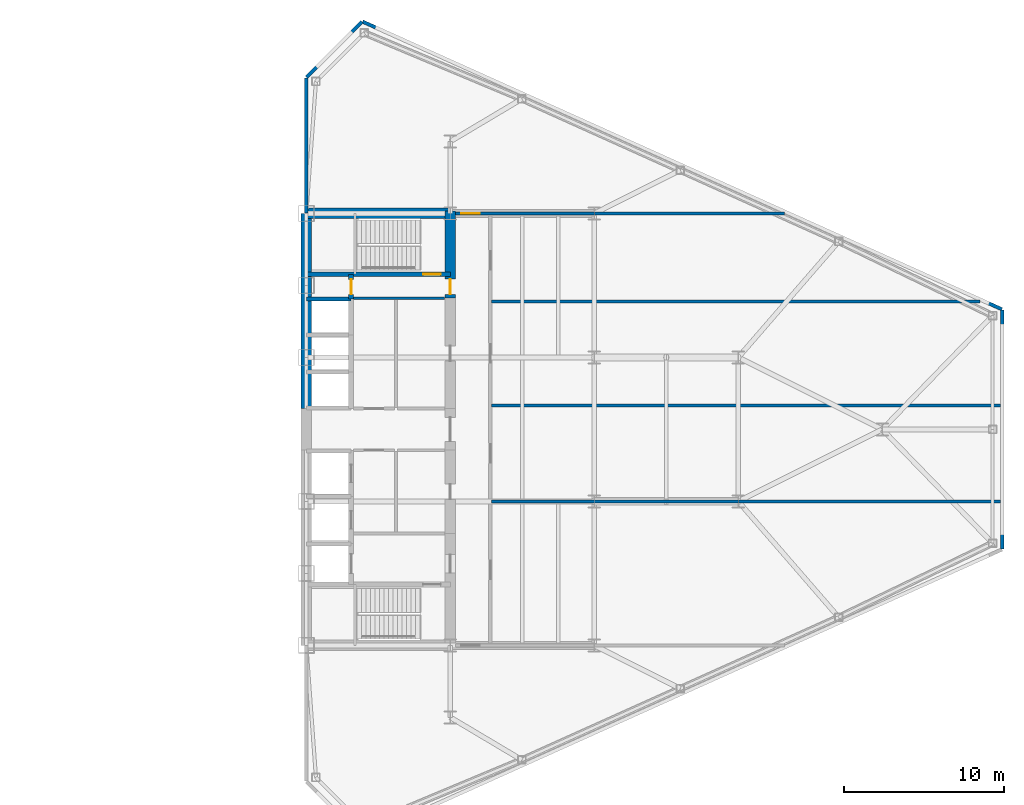
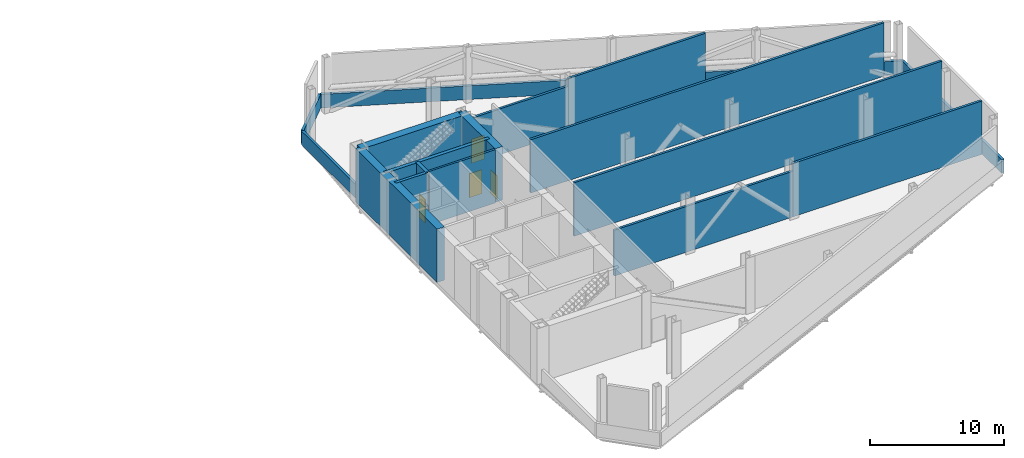
# One storey, part 9 of 11: 17 walls, 4 doors, 4 openings.
"""IFC4 building model written with IfcOpenShell, lengths in metres."""

from ifc_helpers import new_model, si_unit, direction, frame, frame_2d, origin, place, context, subcontext, project, spatial, rectangle, extrude, source, transform, mapped, material, layer, layer_set, type_object, type_shapes, element, fill, save


model = new_model("IFC4")

# Units and contexts
model_context = context("Model", 3, precision=1e-05, world=origin(), true_north=direction((0.0, 1.0)))
body_context = subcontext(model_context, "Body", "Model", "MODEL_VIEW")
ifc_project = project(units=[si_unit("LENGTHUNIT", "METRE"), si_unit("AREAUNIT", "SQUARE_METRE"), si_unit("VOLUMEUNIT", "CUBIC_METRE"), si_unit("PLANEANGLEUNIT", "RADIAN"), si_unit("MASSUNIT", "GRAM", prefix="KILO")], contexts=[model_context])

# Site, building, storey
site_placement = place(None, origin())
site = spatial("IfcSite", under=ifc_project, at=site_placement, CompositionType="ELEMENT")
building_placement = place(site_placement, origin())
building = spatial("IfcBuilding", under=site, at=building_placement, Name="Seokmaru Belvedere", CompositionType="ELEMENT")
storey_placement = place(building_placement, frame((0.0, 0.0, 87.300048828125)))
storey = spatial("IfcBuildingStorey", under=building, at=storey_placement, Name="L23", CompositionType="ELEMENT", Elevation=87.300048828125)

# Walls
ifc_material_1 = material(Name="Fire-Rated Gypsum Shaftwall")
ifc_layer_1 = layer(ifc_material_1, 0.179931640625)
ifc_layer_set_1 = layer_set([ifc_layer_1], Name="Fire-Rated Gypsum Shaftwall")
wall_type_1 = type_object("IfcWallType", Name="Core Service Fire Partition 180", PredefinedType="PARTITIONING", material=ifc_layer_set_1)
wall_1_placement = place(storey_placement, frame((30.449951171875, 8.199951171875, 0.0), z_axis=(0.0, 0.0, 1.0), x_axis=(1.0, 0.0, 0.0)))
element("IfcWall", 1, at=wall_1_placement, inside=storey, type_object=wall_type_1, Name="L23 East Smokeproof Vestibule Partition", PredefinedType="PARTITIONING", context=body_context, shape_type="SweptSolid", body=[
    extrude(rectangle(XDim=5.699951171875, YDim=0.179931640625, at=frame_2d((2.85009765625, 0.0))), origin(), (0.0, 0.0, 1.0), 4.8798828125),
])
ifc_material_2 = material(Name="Concrete C50 (50 MPa)", Category="concrete")
ifc_layer_2 = layer(ifc_material_2, 0.25)
ifc_layer_set_2 = layer_set([ifc_layer_2], Name="Concrete C50 (50 MPa)")
wall_type_2 = type_object("IfcWallType", Name="Hoistway Transverse Concrete Divider Wall 250", PredefinedType="SHEAR", material=ifc_layer_set_2)
wall_2_placement = place(storey_placement, frame((27.5, 8.14990234375, 0.0), z_axis=(0.0, 0.0, 1.0), x_axis=(1.0, 0.0, 0.0)))
element("IfcWall", 2, at=wall_2_placement, inside=storey, type_object=wall_type_2, Name="L23 East Hoistway Divider Core Wall 7", PredefinedType="SHEAR", context=body_context, shape_type="SweptSolid", body=[
    extrude(rectangle(XDim=2.800048828125, YDim=0.25, at=frame_2d((1.39990234375, 0.0))), origin(), (0.0, 0.0, 1.0), 4.8798828125),
])
ifc_layer_3 = layer(ifc_material_1, 0.199951171875)
ifc_layer_set_3 = layer_set([ifc_layer_3], Name="Fire-Rated Gypsum Shaftwall")
wall_type_3 = type_object("IfcWallType", Name="Inter-Tenancy Fire Compartment Partition 200", PredefinedType="PARTITIONING", material=ifc_layer_set_3)
wall_3_placement = place(storey_placement, frame((39.0849609375, -4.5, 0.0), z_axis=(0.0, 0.0, 1.0), x_axis=(1.0, 0.0, 0.0)))
element("IfcWall", 3, at=wall_3_placement, inside=storey, type_object=wall_type_3, Name="L23 Interior Partition 004", PredefinedType="PARTITIONING", context=body_context, shape_type="SweptSolid", body=[
    extrude(rectangle(XDim=15.43505859375, YDim=0.199951171875, at=frame_2d((7.717529296875, 0.0))), origin(), (0.0, 0.0, 1.0), 4.179931640625),
])
wall_4_placement = place(storey_placement, frame((54.52001953125, -4.5, 0.0), z_axis=(0.0, 0.0, 1.0), x_axis=(1.0, 0.0, 0.0)))
element("IfcWall", 4, at=wall_4_placement, inside=storey, type_object=wall_type_3, Name="L23 Interior Partition 004 Part 2", PredefinedType="PARTITIONING", context=body_context, shape_type="SweptSolid", body=[
    extrude(rectangle(XDim=16.364990234375, YDim=0.199951171875, at=frame_2d((8.1826171875, 0.0))), origin(), (0.0, 0.0, 1.0), 4.8798828125),
])
wall_5_placement = place(storey_placement, frame((39.0849609375, 1.5, 0.0), z_axis=(0.0, 0.0, 1.0), x_axis=(1.0, 0.0, 0.0)))
element("IfcWall", 5, at=wall_5_placement, inside=storey, type_object=wall_type_3, Name="L23 Interior Partition 006", PredefinedType="PARTITIONING", context=body_context, shape_type="SweptSolid", body=[
    extrude(rectangle(XDim=31.800048828125, YDim=0.199951171875, at=frame_2d((15.89990234375, 0.0))), origin(), (0.0, 0.0, 1.0), 4.8798828125),
])
wall_6_placement = place(storey_placement, frame((39.0849609375, 8.0, 0.0), z_axis=(0.0, 0.0, 1.0), x_axis=(1.0, 0.0, 0.0)))
element("IfcWall", 6, at=wall_6_placement, inside=storey, type_object=wall_type_3, Name="L23 Interior Partition 008", PredefinedType="PARTITIONING", context=body_context, shape_type="SweptSolid", body=[
    extrude(rectangle(XDim=30.523681640625, YDim=0.199951171875, at=frame_2d((15.26171875, 0.0))), origin(), (0.0, 0.0, 1.0), 4.8798828125),
])

# Wall, opening, door
wall_7_placement = place(storey_placement, frame((36.830078125, 13.5, 0.0), z_axis=(0.0, 0.0, 1.0), x_axis=(1.0, 0.0, 0.0)))
wall_7 = element("IfcWall", 7, at=wall_7_placement, inside=storey, type_object=wall_type_3, Name="L23 Interior Partition 010", PredefinedType="PARTITIONING", context=body_context, shape_type="SweptSolid", body=[
    extrude(rectangle(XDim=8.68994140625, YDim=0.199951171875, at=frame_2d((4.344970703125, 0.0))), origin(), (0.0, 0.0, 1.0), 4.179931640625),
])
opening_1_placement = place(wall_7_placement, frame((0.344970703125, 0.0, 0.0)))
opening_1 = element("IfcOpeningElement", 8, at=opening_1_placement, cuts=wall_7, Name="Opening D02", PredefinedType="OPENING", context=body_context, shape_type="SweptSolid", body=[
    extrude(rectangle(XDim=1.14990234375, YDim=2.199951171875, at=frame_2d((0.574951171875, 1.10009765625))), frame((0.0, 0.10986328125, 0.0), z_axis=(0.0, -1.0, 0.0), x_axis=(1.0, 0.0, 0.0)), (0.0, 0.0, 1.0), 0.219970703125),
])
ifc_material_3 = material(Name="Fire-Rated Steel Leaf", Category="steel")
door_type_1 = type_object("IfcDoorType", Name="Lobby and Vestibule Fire Door 1150x2200", OperationType="NOTDEFINED", PredefinedType="DOOR", material=ifc_material_3)
shared_shape_1 = source(origin(), body_context, "Body", "SweptSolid", [
    extrude(rectangle(XDim=1.14990234375, YDim=2.199951171875, at=frame_2d((0.574951171875, 1.10009765625))), frame((0.0, 0.02490234375, 0.0), z_axis=(0.0, -1.0, 0.0), x_axis=(1.0, 0.0, 0.0)), (0.0, 0.0, 1.0), 0.050048828125),
])
type_shapes(door_type_1, [shared_shape_1])
door_1_placement = place(opening_1_placement, origin())
door_1 = element("IfcDoor", 9, at=door_1_placement, inside=storey, type_object=door_type_1, Name="L23 Interior Door 008", OperationType="SINGLE_SWING_LEFT", OverallHeight=2.199951171875, OverallWidth=1.14990234375, PredefinedType="DOOR", context=body_context, shape_type="MappedRepresentation", body=[
    mapped(shared_shape_1, transform((0.0, 0.0, 0.0), scale=1.0)),
])
fill(opening_1, door_1)

# Wall
wall_8_placement = place(storey_placement, frame((45.52001953125, 13.5, 0.0), z_axis=(0.0, 0.0, 1.0), x_axis=(1.0, 0.0, 0.0)))
element("IfcWall", 10, at=wall_8_placement, inside=storey, type_object=wall_type_3, Name="L23 Interior Partition 010 Part 2", PredefinedType="PARTITIONING", context=body_context, shape_type="SweptSolid", body=[
    extrude(rectangle(XDim=11.866455078125, YDim=0.199951171875, at=frame_2d((5.93310546875, 0.0))), origin(), (0.0, 0.0, 1.0), 4.8798828125),
])

# Wall, opening, door
ifc_layer_4 = layer(ifc_material_2, 0.300048828125)
ifc_layer_set_4 = layer_set([ifc_layer_4], Name="Concrete C50 (50 MPa)")
wall_type_4 = type_object("IfcWallType", Name="Internal Core Stair and Hoistway Wall 300", PredefinedType="SHEAR", material=ifc_layer_set_4)
wall_9_placement = place(storey_placement, frame((27.5, 9.699951171875, 0.0), z_axis=(0.0, 0.0, 1.0), x_axis=(1.0, 0.0, 0.0)))
wall_9 = element("IfcWall", 11, at=wall_9_placement, inside=storey, type_object=wall_type_4, Name="L23 East Stair ST-2 Enclosure Wall", PredefinedType="SHEAR", context=body_context, shape_type="SweptSolid", body=[
    extrude(rectangle(XDim=9.0, YDim=0.300048828125, at=frame_2d((4.5, 0.0))), origin(), (0.0, 0.0, 1.0), 4.8798828125),
])
opening_2_placement = place(wall_9_placement, frame((7.300048828125, 0.0, 0.0)))
opening_2 = element("IfcOpeningElement", 12, at=opening_2_placement, cuts=wall_9, Name="Opening D01", PredefinedType="OPENING", context=body_context, shape_type="SweptSolid", body=[
    extrude(rectangle(XDim=1.10009765625, YDim=2.199951171875, at=frame_2d((0.550048828125, 1.10009765625))), frame((0.0, 0.16015625, 0.0), z_axis=(0.0, -1.0, 0.0), x_axis=(1.0, 0.0, 0.0)), (0.0, 0.0, 1.0), 0.320068359375),
])
door_type_2 = type_object("IfcDoorType", Name="Special Escape Stair Smokeproof Fire Door 1100x2200", OperationType="NOTDEFINED", PredefinedType="DOOR", material=ifc_material_3)
shared_shape_2 = source(origin(), body_context, "Body", "SweptSolid", [
    extrude(rectangle(XDim=1.10009765625, YDim=2.199951171875, at=frame_2d((0.550048828125, 1.10009765625))), frame((0.0, 0.02490234375, 0.0), z_axis=(0.0, -1.0, 0.0), x_axis=(1.0, 0.0, 0.0)), (0.0, 0.0, 1.0), 0.050048828125),
])
type_shapes(door_type_2, [shared_shape_2])
door_2_placement = place(opening_2_placement, origin())
door_2 = element("IfcDoor", 13, at=door_2_placement, inside=storey, type_object=door_type_2, Name="L23 East Special Escape Stair ST-2 Door", OperationType="SINGLE_SWING_LEFT", OverallHeight=2.199951171875, OverallWidth=1.10009765625, PredefinedType="DOOR", context=body_context, shape_type="MappedRepresentation", body=[
    mapped(shared_shape_2, transform((0.0, 0.0, 0.0), scale=1.0)),
])
fill(opening_2, door_2)

wall_10_placement = place(storey_placement, frame((30.300048828125, 8.14990234375, 0.0), z_axis=(0.0, 0.0, 1.0), x_axis=(0.0, 1.0, 0.0)))
wall_10 = element("IfcWall", 14, at=wall_10_placement, inside=storey, type_object=wall_type_4, Name="L23 East Electrical Riser Front Wall", PredefinedType="SHEAR", context=body_context, shape_type="SweptSolid", body=[
    extrude(rectangle(XDim=1.530029296875, YDim=0.300048828125, at=frame_2d((0.76513671875, 0.0))), origin(), (0.0, 0.0, 1.0), 4.8798828125),
])
opening_3_placement = place(wall_10_placement, frame((0.284912109375, 0.0, 0.0)))
opening_3 = element("IfcOpeningElement", 15, at=opening_3_placement, cuts=wall_10, Name="Opening D04", PredefinedType="OPENING", context=body_context, shape_type="SweptSolid", body=[
    extrude(rectangle(XDim=0.949951171875, YDim=2.14990234375, at=frame_2d((0.47509765625, 1.074951171875))), frame((0.0, 0.16015625, 0.0), z_axis=(0.0, -1.0, 0.0), x_axis=(1.0, 0.0, 0.0)), (0.0, 0.0, 1.0), 0.320068359375),
])
door_type_3 = type_object("IfcDoorType", Name="Core Service Room Fire Door 950x2150", OperationType="NOTDEFINED", PredefinedType="DOOR", material=ifc_material_3)
shared_shape_3 = source(origin(), body_context, "Body", "SweptSolid", [
    extrude(rectangle(XDim=0.949951171875, YDim=2.14990234375, at=frame_2d((0.47509765625, 1.074951171875))), frame((0.0, 0.02490234375, 0.0), z_axis=(0.0, -1.0, 0.0), x_axis=(1.0, 0.0, 0.0)), (0.0, 0.0, 1.0), 0.050048828125),
])
type_shapes(door_type_3, [shared_shape_3])
door_3_placement = place(opening_3_placement, origin())
door_3 = element("IfcDoor", 16, at=door_3_placement, inside=storey, type_object=door_type_3, Name="L23 East Electrical Riser Access Door", OperationType="SINGLE_SWING_RIGHT", OverallHeight=2.14990234375, OverallWidth=0.949951171875, PredefinedType="DOOR", context=body_context, shape_type="MappedRepresentation", body=[
    mapped(shared_shape_3, transform((0.0, 0.0, 0.0), scale=1.0)),
])
fill(opening_3, door_3)

# Walls
ifc_material_4 = material(Name="Concrete C60 (60 MPa)", Category="concrete")
ifc_layer_5 = layer(ifc_material_4, 0.64990234375)
ifc_layer_set_5 = layer_set([ifc_layer_5], Name="Concrete C60 (60 MPa)")
wall_type_5 = type_object("IfcWallType", Name="Mid-Low Reinforced Concrete Core Wall 650", PredefinedType="SHEAR", material=ifc_layer_set_5)
wall_11_placement = place(storey_placement, frame((27.5, 1.300048828125, 0.0), z_axis=(0.0, 0.0, 1.0), x_axis=(0.0, 1.0, 0.0)))
element("IfcWall", 17, at=wall_11_placement, inside=storey, type_object=wall_type_5, Name="L23 East Portal Spine Core Wall North", PredefinedType="SHEAR", context=body_context, shape_type="SweptSolid", body=[
    extrude(rectangle(XDim=12.199951171875, YDim=0.64990234375, at=frame_2d((6.10009765625, 0.0))), origin(), (0.0, 0.0, 1.0), 4.8798828125),
])
wall_12_placement = place(storey_placement, frame((27.5, 13.5, 0.0), z_axis=(0.0, 0.0, 1.0), x_axis=(1.0, 0.0, 0.0)))
element("IfcWall", 18, at=wall_12_placement, inside=storey, type_object=wall_type_5, Name="L23 East North Core Wall", PredefinedType="SHEAR", context=body_context, shape_type="SweptSolid", body=[
    extrude(rectangle(XDim=9.0, YDim=0.64990234375, at=frame_2d((4.5, 0.0))), origin(), (0.0, 0.0, 1.0), 4.8798828125),
])

# Wall, opening, door
wall_13_placement = place(storey_placement, frame((36.5, 8.199951171875, 0.0), z_axis=(0.0, 0.0, 1.0), x_axis=(0.0, 1.0, 0.0)))
wall_13 = element("IfcWall", 19, at=wall_13_placement, inside=storey, type_object=wall_type_5, Name="L23 East West Core Wall VST", PredefinedType="SHEAR", context=body_context, shape_type="SweptSolid", body=[
    extrude(rectangle(XDim=5.449951171875, YDim=0.64990234375, at=frame_2d((2.72509765625, 0.0))), origin(), (0.0, 0.0, 1.0), 4.8798828125),
])
opening_4_placement = place(wall_13_placement, frame((0.2451171875, 0.0, 0.0)))
opening_4 = element("IfcOpeningElement", 20, at=opening_4_placement, cuts=wall_13, Name="Opening D04", PredefinedType="OPENING", context=body_context, shape_type="SweptSolid", body=[
    extrude(rectangle(XDim=0.949951171875, YDim=2.14990234375, at=frame_2d((0.47509765625, 1.074951171875))), frame((0.0, 0.3349609375, 0.0), z_axis=(0.0, -1.0, 0.0), x_axis=(1.0, 0.0, 0.0)), (0.0, 0.0, 1.0), 0.669921875),
])
door_4_placement = place(opening_4_placement, origin())
door_4 = element("IfcDoor", 21, at=door_4_placement, inside=storey, type_object=door_type_3, Name="L23 East Smokeproof Vestibule Door", OperationType="SINGLE_SWING_LEFT", OverallHeight=2.14990234375, OverallWidth=0.949951171875, PredefinedType="DOOR", context=body_context, shape_type="MappedRepresentation", body=[
    mapped(shared_shape_3, transform((0.0, 0.0, 0.0), scale=1.0)),
])
fill(opening_4, door_4)

# Walls
ifc_material_5 = material(Name="Concrete C40 (40 MPa)", Category="concrete")
ifc_layer_6 = layer(ifc_material_5, 0.219970703125)
ifc_layer_set_6 = layer_set([ifc_layer_6], Name="Concrete C40 (40 MPa)")
wall_type_6 = type_object("IfcWallType", Name="Refuge and Roof Concrete Parapet 220", PredefinedType="PARAPET", material=ifc_layer_set_6)
wall_14_placement = place(storey_placement, frame((71.0, -7.47998046875, 0.0), z_axis=(0.0, 0.0, 1.0), x_axis=(0.0, 1.0, 0.0)))
element("IfcWall", 22, at=wall_14_placement, inside=storey, type_object=wall_type_6, Name="L23 E Refuge Perimeter Parapet 2", PredefinedType="PARAPET", context=body_context, shape_type="SweptSolid", body=[
    extrude(rectangle(XDim=14.9599609375, YDim=0.219970703125, at=frame_2d((7.47998046875, 0.0))), origin(), (0.0, 0.0, 1.0), 1.25),
])
wall_15_placement = place(storey_placement, frame((70.981689453125, 7.50830078125, 0.0), z_axis=(0.0, 0.0, 1.0), x_axis=(-0.911922547569, 0.410362360889, 0.0)))
element("IfcWall", 23, at=wall_15_placement, inside=storey, type_object=wall_type_6, Name="L23 E Refuge Perimeter Parapet 3", PredefinedType="PARAPET", context=body_context, shape_type="SweptSolid", body=[
    extrude(rectangle(XDim=43.8232421875, YDim=0.219970703125, at=frame_2d((21.91162109375, 0.0))), origin(), (0.0, 0.0, 1.0), 1.25),
])
wall_16_placement = place(storey_placement, frame((30.98583984375, 25.48583984375, 0.0), z_axis=(0.0, 0.0, 1.0), x_axis=(-0.707106781187, -0.707106781187, 0.0)))
element("IfcWall", 24, at=wall_16_placement, inside=storey, type_object=wall_type_6, Name="L23 E Refuge Perimeter Parapet 4", PredefinedType="PARAPET", context=body_context, shape_type="SweptSolid", body=[
    extrude(rectangle(XDim=4.90966796875, YDim=0.219970703125, at=frame_2d((2.454833984375, 0.0))), origin(), (0.0, 0.0, 1.0), 1.25),
])
wall_17_placement = place(storey_placement, frame((27.5, 13.52001953125, 0.0), z_axis=(0.0, 0.0, 1.0), x_axis=(0.0, 1.0, 0.0)))
element("IfcWall", 25, at=wall_17_placement, inside=storey, type_object=wall_type_6, Name="L23 E Refuge Spine Shoulder Parapet 2", PredefinedType="PARAPET", context=body_context, shape_type="SweptSolid", body=[
    extrude(rectangle(XDim=8.4599609375, YDim=0.219970703125, at=frame_2d((4.22998046875, 0.0))), origin(), (0.0, 0.0, 1.0), 1.25),
])

save(model, "model.ifc")
